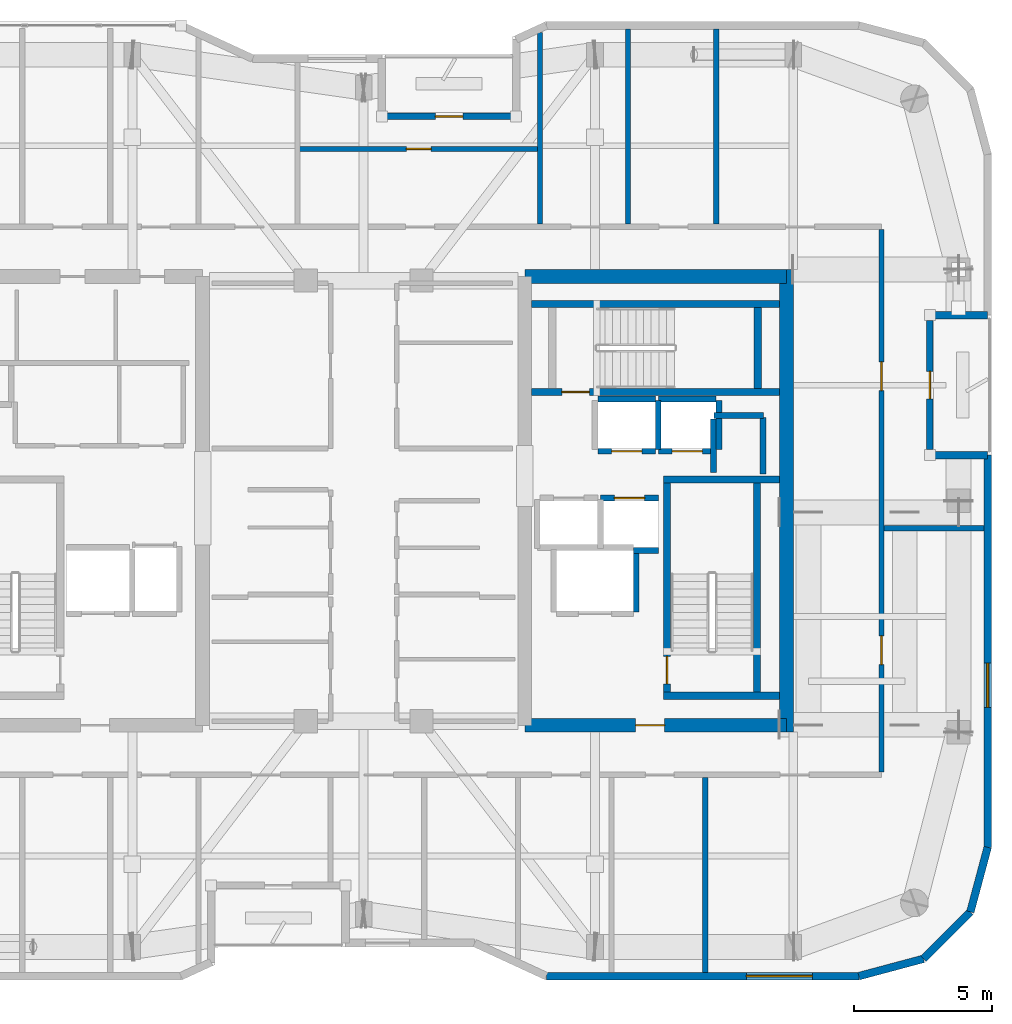
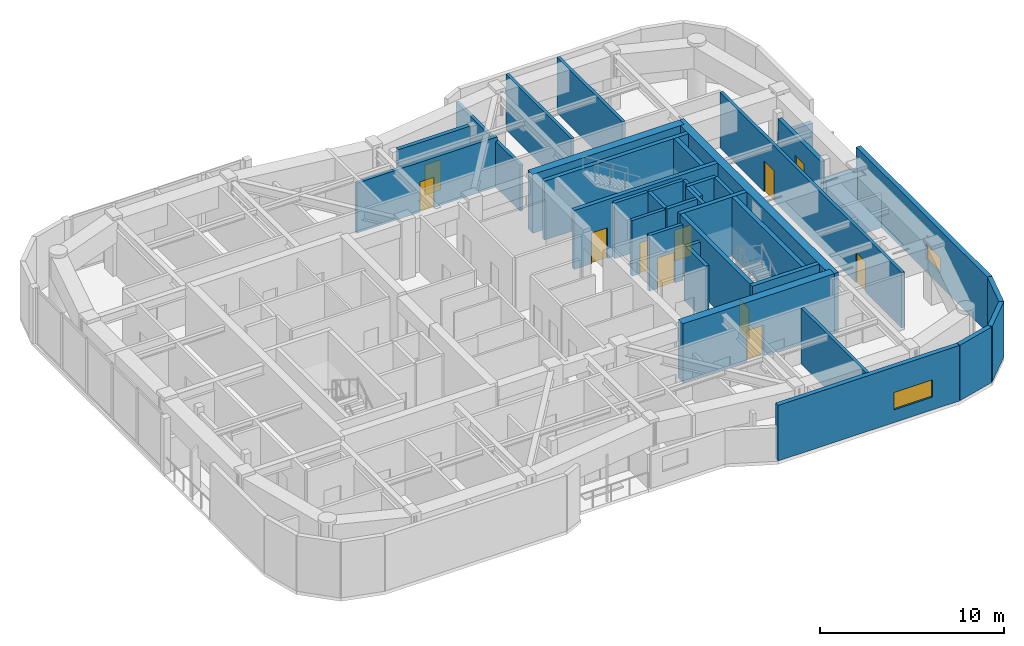
# One storey, part 13 of 16: 38 walls, 11 doors, 2 windows, 13 openings.
"""IFC4 building model written with IfcOpenShell, lengths in metres."""

from ifc_helpers import new_model, si_unit, direction, frame, frame_2d, origin, place, context, subcontext, project, spatial, rectangle, extrude, material, layer, layer_set, type_object, element, fill, save


model = new_model("IFC4")

# Units and contexts
model_context = context("Model", 3, precision=1e-05, world=origin(), true_north=direction((0.0, 1.0)))
body_context = subcontext(model_context, "Body", "Model", "MODEL_VIEW")
ifc_project = project(units=[si_unit("LENGTHUNIT", "METRE"), si_unit("AREAUNIT", "SQUARE_METRE"), si_unit("VOLUMEUNIT", "CUBIC_METRE"), si_unit("PLANEANGLEUNIT", "RADIAN"), si_unit("MASSUNIT", "GRAM", prefix="KILO")], contexts=[model_context])

# Site, building, storey
site_placement = place(None, origin())
site = spatial("IfcSite", under=ifc_project, at=site_placement, CompositionType="ELEMENT")
building_placement = place(site_placement, origin())
building = spatial("IfcBuilding", under=site, at=building_placement, Name="Kiyonajd Concourse Tower", CompositionType="ELEMENT")
storey_placement = place(building_placement, frame((0.0, 0.0, 346.5)))
storey = spatial("IfcBuildingStorey", under=building, at=storey_placement, Name="L87", CompositionType="ELEMENT", Elevation=346.5)

# Wall
ifc_material_1 = material(Name="Concrete C60/75", Category="concrete")
ifc_layer_1 = layer(ifc_material_1, 0.5)
ifc_layer_set_1 = layer_set([ifc_layer_1], Name="Concrete C60/75")
wall_type_1 = type_object("IfcWallType", Name="WL-CORE-500", PredefinedType="SHEAR", material=ifc_layer_set_1)
wall_1_placement = place(storey_placement, frame((63.35009765625, 27.60009765625, 0.0), z_axis=(0.0, 0.0, 1.0), x_axis=(0.0, 1.0, 0.0)))
element("IfcWall", 1, at=wall_1_placement, inside=storey, type_object=wall_type_1, Name="L87 East Core Outer Shear Wall", PredefinedType="SHEAR", context=body_context, shape_type="SweptSolid", body=[
    extrude(rectangle(XDim=16.7998046875, YDim=0.5, at=frame_2d((8.39990234375, 0.0))), origin(), (0.0, 0.0, 1.0), 3.89990234375),
])

# Wall, opening, door
wall_2_placement = place(storey_placement, frame((53.85009765625, 27.85009765625, 0.0), z_axis=(0.0, 0.0, 1.0), x_axis=(1.0, 0.0, 0.0)))
wall_2 = element("IfcWall", 2, at=wall_2_placement, inside=storey, type_object=wall_type_1, Name="L87 East Core South Shear Wall", PredefinedType="SHEAR", context=body_context, shape_type="SweptSolid", body=[
    extrude(rectangle(XDim=9.5, YDim=0.5, at=frame_2d((4.75, 0.0))), origin(), (0.0, 0.0, 1.0), 3.89990234375),
])
opening_1_placement = place(wall_2_placement, frame((4.02490234375, 0.0, 0.0)))
opening_1 = element("IfcOpeningElement", 3, at=opening_1_placement, cuts=wall_2, Name="Opening DF5", PredefinedType="OPENING", context=body_context, shape_type="SweptSolid", body=[
    extrude(rectangle(XDim=1.050048828125, YDim=2.0400390625, at=frame_2d((0.52490234375, 1.02001953125))), frame((0.0, 0.260009765625, 0.0), z_axis=(0.0, -1.0, 0.0), x_axis=(1.0, 0.0, 0.0)), (0.0, 0.0, 1.0), 0.52001953125),
])
ifc_material_2 = material(Name="Brushed Stainless Steel Cab Assembly", Category="steel")
door_type_1 = type_object("IfcDoorType", Name="DR-FD45-1050", OperationType="NOTDEFINED", PredefinedType="DOOR", material=ifc_material_2)
door_1_placement = place(opening_1_placement, origin())
door_1 = element("IfcDoor", 4, at=door_1_placement, inside=storey, type_object=door_type_1, Name="L87 Firefighting Lift Lobby E Smoke Door", OperationType="SINGLE_SWING_RIGHT", OverallHeight=2.0400390625, OverallWidth=1.050048828125, PredefinedType="DOOR", context=body_context, shape_type="SweptSolid", body=[
    extrude(rectangle(XDim=1.050048828125, YDim=2.0400390625, at=frame_2d((0.52490234375, 1.02001953125))), frame((0.0, 0.02490234375, 0.0), z_axis=(0.0, -1.0, 0.0), x_axis=(1.0, 0.0, 0.0)), (0.0, 0.0, 1.0), 0.050048828125),
])
fill(opening_1, door_1)

# Walls
wall_3_placement = place(storey_placement, frame((53.85009765625, 44.14990234375, 0.0), z_axis=(0.0, 0.0, 1.0), x_axis=(1.0, 0.0, 0.0)))
element("IfcWall", 5, at=wall_3_placement, inside=storey, type_object=wall_type_1, Name="L87 East Core North Shear Wall", PredefinedType="SHEAR", context=body_context, shape_type="SweptSolid", body=[
    extrude(rectangle(XDim=9.5, YDim=0.5, at=frame_2d((4.75, 0.0))), origin(), (0.0, 0.0, 1.0), 3.89990234375),
])
ifc_material_3 = material(Name="Precast concrete C50/60", Category="concrete")
ifc_layer_2 = layer(ifc_material_3, 0.280029296875)
ifc_layer_set_2 = layer_set([ifc_layer_2], Name="Precast concrete C50/60")
wall_type_2 = type_object("IfcWallType", Name="WL-EXT-280", PredefinedType="SOLIDWALL", material=ifc_layer_set_2)
for number, where, z_axis, x_axis, name in (
    (6, (70.659912109375, 42.739990234375, 0.0), (0.0, 0.0, 1.0), (-1.0, 0.0, 0.0), "L87 Exterior Concrete Frame Wall 21"),
    (7, (68.56005859375, 37.659912109375, 0.0), (0.0, 0.0, 1.0), (1.0, 0.0, 0.0), "L87 Exterior Concrete Frame Wall 23"),
):
    element("IfcWall", number, at=place(storey_placement, frame(where, z_axis=z_axis, x_axis=x_axis)), inside=storey, type_object=wall_type_2, Name=name, PredefinedType="SOLIDWALL", context=body_context, shape_type="SweptSolid", body=[
        extrude(rectangle(XDim=2.099853515625, YDim=0.280029296875, at=frame_2d((1.0498046875, 0.0))), origin(), (0.0, 0.0, 1.0), 2.215087890625),
    ])

# Wall, opening, window
wall_4_placement = place(storey_placement, frame((70.659912109375, 37.659912109375, 0.0), z_axis=(0.0, 0.0, 1.0), x_axis=(0.0, -1.0, 0.0)))
wall_4 = element("IfcWall", 8, at=wall_4_placement, inside=storey, type_object=wall_type_2, Name="L87 Exterior Concrete Frame Wall 24", PredefinedType="SOLIDWALL", context=body_context, shape_type="SweptSolid", body=[
    extrude(rectangle(XDim=14.241455078125, YDim=0.280029296875, at=frame_2d((7.12060546875, 0.0))), origin(), (0.0, 0.0, 1.0), 3.679931640625),
])
opening_2_placement = place(wall_4_placement, frame((7.555908203125, 0.0, 0.85009765625)))
opening_2 = element("IfcOpeningElement", 9, at=opening_2_placement, cuts=wall_4, Name="Opening WN6", PredefinedType="OPENING", context=body_context, shape_type="SweptSolid", body=[
    extrude(rectangle(XDim=1.60009765625, YDim=1.0, at=frame_2d((0.800048828125, 0.5))), frame((0.0, 0.14990234375, 0.0), z_axis=(0.0, -1.0, 0.0), x_axis=(1.0, 0.0, 0.0)), (0.0, 0.0, 1.0), 0.300048828125),
])
ifc_material_4 = material(Name="Double Low-E Insulated Glass", Category="glass")
window_type_1 = type_object("IfcWindowType", Name="WN-VIS-1600x1000", PartitioningType="SINGLE_PANEL", PredefinedType="WINDOW", material=ifc_material_4)
window_1_placement = place(opening_2_placement, origin())
window_1 = element("IfcWindow", 10, at=window_1_placement, inside=storey, type_object=window_type_1, Name="L87 Modular Facade Vision Window 24", OverallHeight=1.0, OverallWidth=1.60009765625, PartitioningType="SINGLE_PANEL", PredefinedType="WINDOW", context=body_context, shape_type="SweptSolid", body=[
    extrude(rectangle(XDim=1.60009765625, YDim=1.0, at=frame_2d((0.800048828125, 0.5))), frame((0.0, 0.030029296875, 0.0), z_axis=(0.0, -1.0, 0.0), x_axis=(1.0, 0.0, 0.0)), (0.0, 0.0, 1.0), 0.06005859375),
])
fill(opening_2, window_1)

# Walls
wall_5_placement = place(storey_placement, frame((70.659912109375, 23.41845703125, 0.0), z_axis=(0.0, 0.0, 1.0), x_axis=(-0.258751159445, -0.965944013639, 0.0)))
element("IfcWall", 11, at=wall_5_placement, inside=storey, type_object=wall_type_2, Name="L87 Exterior Concrete Frame Wall 25", PredefinedType="SOLIDWALL", context=body_context, shape_type="SweptSolid", body=[
    extrude(rectangle(XDim=2.4287109375, YDim=0.280029296875, at=frame_2d((1.21435546875, 0.0))), origin(), (0.0, 0.0, 1.0), 3.679931640625),
])
wall_6_placement = place(storey_placement, frame((70.031494140625, 21.072509765625, 0.0), z_axis=(0.0, 0.0, 1.0), x_axis=(-0.707106781187, -0.707106781187, 0.0)))
element("IfcWall", 12, at=wall_6_placement, inside=storey, type_object=wall_type_2, Name="L87 Exterior Concrete Frame Wall 26", PredefinedType="SOLIDWALL", context=body_context, shape_type="SweptSolid", body=[
    extrude(rectangle(XDim=2.409912109375, YDim=0.280029296875, at=frame_2d((1.205078125, 0.0))), origin(), (0.0, 0.0, 1.0), 3.679931640625),
])
wall_7_placement = place(storey_placement, frame((68.327392578125, 19.368408203125, 0.0), z_axis=(0.0, 0.0, 1.0), x_axis=(-0.965937282298, -0.25877628691, 0.0)))
element("IfcWall", 13, at=wall_7_placement, inside=storey, type_object=wall_type_2, Name="L87 Exterior Concrete Frame Wall 27", PredefinedType="SOLIDWALL", context=body_context, shape_type="SweptSolid", body=[
    extrude(rectangle(XDim=2.428466796875, YDim=0.280029296875, at=frame_2d((1.21435546875, 0.0))), origin(), (0.0, 0.0, 1.0), 3.679931640625),
])

# Wall, opening, window
wall_8_placement = place(storey_placement, frame((65.981689453125, 18.739990234375, 0.0), z_axis=(0.0, 0.0, 1.0), x_axis=(-1.0, 0.0, 0.0)))
wall_8 = element("IfcWall", 14, at=wall_8_placement, inside=storey, type_object=wall_type_2, Name="L87 Exterior Concrete Frame Wall 28", PredefinedType="SOLIDWALL", context=body_context, shape_type="SweptSolid", body=[
    extrude(rectangle(XDim=11.35107421875, YDim=0.280029296875, at=frame_2d((5.675537109375, 0.0))), origin(), (0.0, 0.0, 1.0), 3.679931640625),
])
opening_3_placement = place(wall_8_placement, frame((1.68603515625, 0.0, 0.85009765625)))
opening_3 = element("IfcOpeningElement", 15, at=opening_3_placement, cuts=wall_8, Name="Opening WN4", PredefinedType="OPENING", context=body_context, shape_type="SweptSolid", body=[
    extrude(rectangle(XDim=2.39990234375, YDim=1.14990234375, at=frame_2d((1.199951171875, 0.574951171875))), frame((0.0, 0.14990234375, 0.0), z_axis=(0.0, -1.0, 0.0), x_axis=(1.0, 0.0, 0.0)), (0.0, 0.0, 1.0), 0.300048828125),
])
window_type_2 = type_object("IfcWindowType", Name="WN-VIS-2400x1150", PartitioningType="SINGLE_PANEL", PredefinedType="WINDOW", material=ifc_material_4)
window_2_placement = place(opening_3_placement, origin())
window_2 = element("IfcWindow", 16, at=window_2_placement, inside=storey, type_object=window_type_2, Name="L87 Modular Facade Vision Window 28", OverallHeight=1.14990234375, OverallWidth=2.39990234375, PartitioningType="SINGLE_PANEL", PredefinedType="WINDOW", context=body_context, shape_type="SweptSolid", body=[
    extrude(rectangle(XDim=2.39990234375, YDim=1.14990234375, at=frame_2d((1.199951171875, 0.574951171875))), frame((0.0, 0.030029296875, 0.0), z_axis=(0.0, -1.0, 0.0), x_axis=(1.0, 0.0, 0.0)), (0.0, 0.0, 1.0), 0.06005859375),
])
fill(opening_3, window_2)

# Wall, opening, door
ifc_layer_3 = layer(ifc_material_3, 0.239990234375)
ifc_layer_set_3 = layer_set([ifc_layer_3], Name="Precast concrete C50/60")
wall_type_3 = type_object("IfcWallType", Name="WL-LOG-240", PredefinedType="SOLIDWALL", material=ifc_layer_set_3)
wall_9_placement = place(storey_placement, frame((48.85498046875, 49.9599609375, 0.0), z_axis=(0.0, 0.0, 1.0), x_axis=(1.0, 0.0, 0.0)))
wall_9 = element("IfcWall", 17, at=wall_9_placement, inside=storey, type_object=wall_type_3, Name="L87 Recessed Loggia Thermal Wall LOG-N", PredefinedType="SOLIDWALL", context=body_context, shape_type="SweptSolid", body=[
    extrude(rectangle(XDim=4.489990234375, YDim=0.239990234375, at=frame_2d((2.2451171875, 0.0))), origin(), (0.0, 0.0, 1.0), 3.679931640625),
])
opening_4_placement = place(wall_9_placement, frame((1.7451171875, 0.0, 0.0)))
opening_4 = element("IfcOpeningElement", 18, at=opening_4_placement, cuts=wall_9, Name="Opening DL1", PredefinedType="OPENING", context=body_context, shape_type="SweptSolid", body=[
    extrude(rectangle(XDim=1.0, YDim=2.02001953125, at=frame_2d((0.5, 1.010009765625))), frame((0.0, 0.1298828125, 0.0), z_axis=(0.0, -1.0, 0.0), x_axis=(1.0, 0.0, 0.0)), (0.0, 0.0, 1.0), 0.260009765625),
])
ifc_material_5 = material(Name="Thermally Broken Anodised Aluminium", Category="aluminium")
door_type_2 = type_object("IfcDoorType", Name="DR-LOG-1000", OperationType="NOTDEFINED", PredefinedType="DOOR", material=ifc_material_5)
door_2_placement = place(opening_4_placement, origin())
door_2 = element("IfcDoor", 19, at=door_2_placement, inside=storey, type_object=door_type_2, Name="L87 Engawa Loggia Access Door LOG-N", OperationType="SINGLE_SWING_RIGHT", OverallHeight=2.02001953125, OverallWidth=1.0, PredefinedType="DOOR", context=body_context, shape_type="SweptSolid", body=[
    extrude(rectangle(XDim=1.0, YDim=2.02001953125, at=frame_2d((0.5, 1.010009765625))), frame((0.0, 0.02490234375, 0.0), z_axis=(0.0, -1.0, 0.0), x_axis=(1.0, 0.0, 0.0)), (0.0, 0.0, 1.0), 0.050048828125),
])
fill(opening_4, door_2)

wall_10_placement = place(storey_placement, frame((68.56005859375, 42.544921875, 0.0), z_axis=(0.0, 0.0, 1.0), x_axis=(0.0, -1.0, 0.0)))
wall_10 = element("IfcWall", 20, at=wall_10_placement, inside=storey, type_object=wall_type_3, Name="L87 Recessed Loggia Thermal Wall LOG-E", PredefinedType="SOLIDWALL", context=body_context, shape_type="SweptSolid", body=[
    extrude(rectangle(XDim=4.68994140625, YDim=0.239990234375, at=frame_2d((2.344970703125, 0.0))), origin(), (0.0, 0.0, 1.0), 3.31103515625),
])
opening_5_placement = place(wall_10_placement, frame((1.844970703125, 0.0, 0.0)))
opening_5 = element("IfcOpeningElement", 21, at=opening_5_placement, cuts=wall_10, Name="Opening DL1", PredefinedType="OPENING", context=body_context, shape_type="SweptSolid", body=[
    extrude(rectangle(XDim=1.0, YDim=2.02001953125, at=frame_2d((0.5, 1.010009765625))), frame((0.0, 0.1298828125, 0.0), z_axis=(0.0, -1.0, 0.0), x_axis=(1.0, 0.0, 0.0)), (0.0, 0.0, 1.0), 0.260009765625),
])
door_3_placement = place(opening_5_placement, origin())
door_3 = element("IfcDoor", 22, at=door_3_placement, inside=storey, type_object=door_type_2, Name="L87 Engawa Loggia Access Door LOG-E", OperationType="SINGLE_SWING_LEFT", OverallHeight=2.02001953125, OverallWidth=1.0, PredefinedType="DOOR", context=body_context, shape_type="SweptSolid", body=[
    extrude(rectangle(XDim=1.0, YDim=2.02001953125, at=frame_2d((0.5, 1.010009765625))), frame((0.0, 0.02490234375, 0.0), z_axis=(0.0, -1.0, 0.0), x_axis=(1.0, 0.0, 0.0)), (0.0, 0.0, 1.0), 0.050048828125),
])
fill(opening_5, door_3)

# Wall, openings, doors
ifc_material_6 = material(Name="Gypsum Board on Cold-Formed Steel Stud", Category="steel")
ifc_layer_4 = layer(ifc_material_6, 0.18994140625)
ifc_layer_set_4 = layer_set([ifc_layer_4], Name="Gypsum Board on Cold-Formed Steel Stud")
wall_type_4 = type_object("IfcWallType", Name="WL-PLMB-190", PredefinedType="PLUMBINGWALL", material=ifc_layer_set_4)
wall_11_placement = place(storey_placement, frame((66.800048828125, 26.14697265625, 0.0), z_axis=(0.0, 0.0, 1.0), x_axis=(0.0, 1.0, 0.0)))
wall_11 = element("IfcWall", 23, at=wall_11_placement, inside=storey, type_object=wall_type_4, Name="L87 Interior Partition Wall", PredefinedType="PLUMBINGWALL", context=body_context, shape_type="SweptSolid", body=[
    extrude(rectangle(XDim=19.7060546875, YDim=0.18994140625, at=frame_2d((9.85302734375, 0.0))), origin(), (0.0, 0.0, 1.0), 3.679931640625),
])
opening_6_placement = place(wall_11_placement, frame((3.903076171875, 0.0, 0.0)))
opening_6 = element("IfcOpeningElement", 24, at=opening_6_placement, cuts=wall_11, Name="Opening DF5", PredefinedType="OPENING", context=body_context, shape_type="SweptSolid", body=[
    extrude(rectangle(XDim=1.050048828125, YDim=2.0400390625, at=frame_2d((0.52490234375, 1.02001953125))), frame((0.0, 0.10498046875, 0.0), z_axis=(0.0, -1.0, 0.0), x_axis=(1.0, 0.0, 0.0)), (0.0, 0.0, 1.0), 0.2099609375),
])
opening_7_placement = place(wall_11_placement, frame((13.85302734375, 0.0, 0.0)))
opening_7 = element("IfcOpeningElement", 25, at=opening_7_placement, cuts=wall_11, Name="Opening DF5", PredefinedType="OPENING", context=body_context, shape_type="SweptSolid", body=[
    extrude(rectangle(XDim=1.050048828125, YDim=2.0400390625, at=frame_2d((0.52490234375, 1.02001953125))), frame((0.0, 0.10498046875, 0.0), z_axis=(0.0, -1.0, 0.0), x_axis=(1.0, 0.0, 0.0)), (0.0, 0.0, 1.0), 0.2099609375),
])
door_4_placement = place(opening_6_placement, origin())
door_4 = element("IfcDoor", 26, at=door_4_placement, inside=storey, type_object=door_type_1, Name="L87 Interior Door", OperationType="SINGLE_SWING_RIGHT", OverallHeight=2.0400390625, OverallWidth=1.050048828125, PredefinedType="DOOR", context=body_context, shape_type="SweptSolid", body=[
    extrude(rectangle(XDim=1.050048828125, YDim=2.0400390625, at=frame_2d((0.52490234375, 1.02001953125))), frame((0.0, 0.02490234375, 0.0), z_axis=(0.0, -1.0, 0.0), x_axis=(1.0, 0.0, 0.0)), (0.0, 0.0, 1.0), 0.050048828125),
])
fill(opening_6, door_4)
door_5_placement = place(opening_7_placement, origin())
door_5 = element("IfcDoor", 27, at=door_5_placement, inside=storey, type_object=door_type_1, Name="L87 Interior Door", OperationType="SINGLE_SWING_LEFT", OverallHeight=2.0400390625, OverallWidth=1.050048828125, PredefinedType="DOOR", context=body_context, shape_type="SweptSolid", body=[
    extrude(rectangle(XDim=1.050048828125, YDim=2.0400390625, at=frame_2d((0.52490234375, 1.02001953125))), frame((0.0, 0.02490234375, 0.0), z_axis=(0.0, -1.0, 0.0), x_axis=(1.0, 0.0, 0.0)), (0.0, 0.0, 1.0), 0.050048828125),
])
fill(opening_7, door_5)

# Wall
wall_12_placement = place(storey_placement, frame((60.39990234375, 18.875, 0.0), z_axis=(0.0, 0.0, 1.0), x_axis=(0.0, 1.0, 0.0)))
element("IfcWall", 28, at=wall_12_placement, inside=storey, type_object=wall_type_4, Name="L87 Interior Partition Wall", PredefinedType="PLUMBINGWALL", context=body_context, shape_type="SweptSolid", body=[
    extrude(rectangle(XDim=7.077880859375, YDim=0.18994140625, at=frame_2d((3.5390625, 0.0))), origin(), (0.0, 0.0, 1.0), 3.679931640625),
])

# Wall, opening, door
wall_13_placement = place(storey_placement, frame((45.60009765625, 48.780029296875, 0.0), z_axis=(0.0, 0.0, 1.0), x_axis=(1.0, 0.0, 0.0)))
wall_13 = element("IfcWall", 29, at=wall_13_placement, inside=storey, type_object=wall_type_4, Name="L87 Interior Partition Wall", PredefinedType="PLUMBINGWALL", context=body_context, shape_type="SweptSolid", body=[
    extrude(rectangle(XDim=8.7998046875, YDim=0.18994140625, at=frame_2d((4.39990234375, 0.0))), origin(), (0.0, 0.0, 1.0), 3.31103515625),
])
opening_8_placement = place(wall_13_placement, frame((3.949951171875, 0.0, 0.0)))
opening_8 = element("IfcOpeningElement", 30, at=opening_8_placement, cuts=wall_13, Name="Opening DI2", PredefinedType="OPENING", context=body_context, shape_type="SweptSolid", body=[
    extrude(rectangle(XDim=0.89990234375, YDim=2.02001953125, at=frame_2d((0.449951171875, 1.010009765625))), frame((0.0, 0.10498046875, 0.0), z_axis=(0.0, -1.0, 0.0), x_axis=(1.0, 0.0, 0.0)), (0.0, 0.0, 1.0), 0.2099609375),
])
ifc_material_7 = material(Name="Natural Oak Acoustic Timber Veneer", Category="wood")
door_type_3 = type_object("IfcDoorType", Name="DR-INT-900", OperationType="NOTDEFINED", PredefinedType="DOOR", material=ifc_material_7)
door_6_placement = place(opening_8_placement, origin())
door_6 = element("IfcDoor", 31, at=door_6_placement, inside=storey, type_object=door_type_3, Name="L87 Interior Door", OperationType="SINGLE_SWING_LEFT", OverallHeight=2.02001953125, OverallWidth=0.89990234375, PredefinedType="DOOR", context=body_context, shape_type="SweptSolid", body=[
    extrude(rectangle(XDim=0.89990234375, YDim=2.02001953125, at=frame_2d((0.449951171875, 1.010009765625))), frame((0.0, 0.02490234375, 0.0), z_axis=(0.0, -1.0, 0.0), x_axis=(1.0, 0.0, 0.0)), (0.0, 0.0, 1.0), 0.050048828125),
])
fill(opening_8, door_6)

# Walls
wall_14_placement = place(storey_placement, frame((54.39990234375, 46.047119140625, 0.0), z_axis=(0.0, 0.0, 1.0), x_axis=(0.0, 1.0, 0.0)))
element("IfcWall", 32, at=wall_14_placement, inside=storey, type_object=wall_type_4, Name="L87 Interior Partition Wall", PredefinedType="PLUMBINGWALL", context=body_context, shape_type="SweptSolid", body=[
    extrude(rectangle(XDim=6.954833984375, YDim=0.18994140625, at=frame_2d((3.4775390625, 0.0))), origin(), (0.0, 0.0, 1.0), 3.04296875),
])
for number, where, z_axis, x_axis, name in (
    (33, (57.60009765625, 46.047119140625, 0.0), (0.0, 0.0, 1.0), (0.0, 1.0, 0.0), "L87 Interior Partition Wall"),
    (34, (60.800048828125, 46.047119140625, 0.0), (0.0, 0.0, 1.0), (0.0, 1.0, 0.0), "L87 Interior Partition Wall"),
):
    element("IfcWall", number, at=place(storey_placement, frame(where, z_axis=z_axis, x_axis=x_axis)), inside=storey, type_object=wall_type_4, Name=name, PredefinedType="PLUMBINGWALL", context=body_context, shape_type="SweptSolid", body=[
        extrude(rectangle(XDim=7.077880859375, YDim=0.18994140625, at=frame_2d((3.5390625, 0.0))), origin(), (0.0, 0.0, 1.0), 3.679931640625),
    ])
wall_15_placement = place(storey_placement, frame((66.89697265625, 35.0, 0.0), z_axis=(0.0, 0.0, 1.0), x_axis=(1.0, 0.0, 0.0)))
element("IfcWall", 35, at=wall_15_placement, inside=storey, type_object=wall_type_4, Name="L87 Interior Partition Wall", PredefinedType="PLUMBINGWALL", context=body_context, shape_type="SweptSolid", body=[
    extrude(rectangle(XDim=3.6279296875, YDim=0.18994140625, at=frame_2d((1.81396484375, 0.0))), origin(), (0.0, 0.0, 1.0), 2.215087890625),
])
ifc_layer_5 = layer(ifc_material_6, 0.2099609375)
ifc_layer_set_5 = layer_set([ifc_layer_5], Name="Gypsum Board on Cold-Formed Steel Stud")
wall_type_5 = type_object("IfcWallType", Name="WL-SHAFT-210", PredefinedType="PARTITIONING", material=ifc_layer_set_5)
wall_16_placement = place(storey_placement, frame((60.719970703125, 39.10009765625, 0.0), z_axis=(0.0, 0.0, 1.0), x_axis=(1.0, 0.0, 0.0)))
element("IfcWall", 36, at=wall_16_placement, inside=storey, type_object=wall_type_5, Name="L87 Shaft Enclosure Wall", PredefinedType="PARTITIONING", context=body_context, shape_type="SweptSolid", body=[
    extrude(rectangle(XDim=1.800048828125, YDim=0.2099609375, at=frame_2d((0.89990234375, 0.0))), origin(), (0.0, 0.0, 1.0), 3.679931640625),
])
wall_17_placement = place(storey_placement, frame((60.699951171875, 37.02001953125, 0.0), z_axis=(0.0, 0.0, 1.0), x_axis=(0.0, 1.0, 0.0)))
element("IfcWall", 37, at=wall_17_placement, inside=storey, type_object=wall_type_5, Name="L87 Shaft Enclosure Wall", PredefinedType="PARTITIONING", context=body_context, shape_type="SweptSolid", body=[
    extrude(rectangle(XDim=1.9599609375, YDim=0.2099609375, at=frame_2d((0.97998046875, 0.0))), origin(), (0.0, 0.0, 1.0), 3.679931640625),
])
wall_18_placement = place(storey_placement, frame((62.5, 36.97998046875, 0.0), z_axis=(0.0, 0.0, 1.0), x_axis=(0.0, 1.0, 0.0)))
element("IfcWall", 38, at=wall_18_placement, inside=storey, type_object=wall_type_5, Name="L87 Shaft Enclosure Wall", PredefinedType="PARTITIONING", context=body_context, shape_type="SweptSolid", body=[
    extrude(rectangle(XDim=2.0400390625, YDim=0.2099609375, at=frame_2d((1.02001953125, 0.0))), origin(), (0.0, 0.0, 1.0), 3.679931640625),
])
wall_19_placement = place(storey_placement, frame((57.89990234375, 31.9599609375, 0.0), z_axis=(0.0, 0.0, 1.0), x_axis=(0.0, 1.0, 0.0)))
element("IfcWall", 39, at=wall_19_placement, inside=storey, type_object=wall_type_5, Name="L87 Shaft Enclosure Wall", PredefinedType="PARTITIONING", context=body_context, shape_type="SweptSolid", body=[
    extrude(rectangle(XDim=2.280029296875, YDim=0.2099609375, at=frame_2d((1.14013671875, 0.0))), origin(), (0.0, 0.0, 1.0), 3.679931640625),
])

# Wall, opening, door
wall_20_placement = place(storey_placement, frame((56.60009765625, 36.10009765625, 0.0), z_axis=(0.0, 0.0, 1.0), x_axis=(1.0, 0.0, 0.0)))
wall_20 = element("IfcWall", 40, at=wall_20_placement, inside=storey, type_object=wall_type_5, Name="L87 Shaft Enclosure Wall", PredefinedType="PARTITIONING", context=body_context, shape_type="SweptSolid", body=[
    extrude(rectangle(XDim=2.099853515625, YDim=0.2099609375, at=frame_2d((1.0498046875, 0.0))), origin(), (0.0, 0.0, 1.0), 3.679931640625),
])
opening_9_placement = place(wall_20_placement, frame((0.5, 0.0, 0.0)))
opening_9 = element("IfcOpeningElement", 41, at=opening_9_placement, cuts=wall_20, Name="Opening LD1", PredefinedType="OPENING", context=body_context, shape_type="SweptSolid", body=[
    extrude(rectangle(XDim=1.10009765625, YDim=2.0400390625, at=frame_2d((0.550048828125, 1.02001953125))), frame((0.0, 0.114990234375, 0.0), z_axis=(0.0, -1.0, 0.0), x_axis=(1.0, 0.0, 0.0)), (0.0, 0.0, 1.0), 0.22998046875),
])
door_type_4 = type_object("IfcDoorType", Name="DR-LD-1100", OperationType="DOUBLE_DOOR_SLIDING", PredefinedType="DOOR", material=ifc_material_2)
door_7_placement = place(opening_9_placement, origin())
door_7 = element("IfcDoor", 42, at=door_7_placement, inside=storey, type_object=door_type_4, Name="L87 Lift PL-H2 Sliding Landing Door", OperationType="DOUBLE_DOOR_SLIDING", OverallHeight=2.0400390625, OverallWidth=1.10009765625, PredefinedType="DOOR", context=body_context, shape_type="SweptSolid", body=[
    extrude(rectangle(XDim=1.10009765625, YDim=2.0400390625, at=frame_2d((0.550048828125, 1.02001953125))), frame((0.0, 0.02490234375, 0.0), z_axis=(0.0, -1.0, 0.0), x_axis=(1.0, 0.0, 0.0)), (0.0, 0.0, 1.0), 0.050048828125),
])
fill(opening_9, door_7)

# Wall
wall_21_placement = place(storey_placement, frame((57.800048828125, 34.199951171875, 0.0), z_axis=(0.0, 0.0, 1.0), x_axis=(1.0, 0.0, 0.0)))
element("IfcWall", 43, at=wall_21_placement, inside=storey, type_object=wall_type_5, Name="L87 Shaft Enclosure Wall", PredefinedType="PARTITIONING", context=body_context, shape_type="SweptSolid", body=[
    extrude(rectangle(XDim=0.89990234375, YDim=0.2099609375, at=frame_2d((0.449951171875, 0.0))), origin(), (0.0, 0.0, 1.0), 3.679931640625),
])

# Wall, opening, door
wall_22_placement = place(storey_placement, frame((56.5, 37.800048828125, 0.0), z_axis=(0.0, 0.0, 1.0), x_axis=(1.0, 0.0, 0.0)))
wall_22 = element("IfcWall", 44, at=wall_22_placement, inside=storey, type_object=wall_type_5, Name="L87 Shaft Enclosure Wall", PredefinedType="PARTITIONING", context=body_context, shape_type="SweptSolid", body=[
    extrude(rectangle(XDim=2.10009765625, YDim=0.2099609375, at=frame_2d((1.050048828125, 0.0))), origin(), (0.0, 0.0, 1.0), 3.679931640625),
])
opening_10_placement = place(wall_22_placement, frame((0.5, 0.0, 0.0)))
opening_10 = element("IfcOpeningElement", 45, at=opening_10_placement, cuts=wall_22, Name="Opening LD1", PredefinedType="OPENING", context=body_context, shape_type="SweptSolid", body=[
    extrude(rectangle(XDim=1.10009765625, YDim=2.0400390625, at=frame_2d((0.550048828125, 1.02001953125))), frame((0.0, 0.114990234375, 0.0), z_axis=(0.0, -1.0, 0.0), x_axis=(1.0, 0.0, 0.0)), (0.0, 0.0, 1.0), 0.22998046875),
])
door_8_placement = place(opening_10_placement, origin())
door_8 = element("IfcDoor", 46, at=door_8_placement, inside=storey, type_object=door_type_4, Name="L87 Lift PL-H3 Sliding Landing Door", OperationType="DOUBLE_DOOR_SLIDING", OverallHeight=2.0400390625, OverallWidth=1.10009765625, PredefinedType="DOOR", context=body_context, shape_type="SweptSolid", body=[
    extrude(rectangle(XDim=1.10009765625, YDim=2.0400390625, at=frame_2d((0.550048828125, 1.02001953125))), frame((0.0, 0.02490234375, 0.0), z_axis=(0.0, -1.0, 0.0), x_axis=(1.0, 0.0, 0.0)), (0.0, 0.0, 1.0), 0.050048828125),
])
fill(opening_10, door_8)

# Walls
wall_23_placement = place(storey_placement, frame((56.5, 39.699951171875, 0.0), z_axis=(0.0, 0.0, 1.0), x_axis=(1.0, 0.0, 0.0)))
element("IfcWall", 47, at=wall_23_placement, inside=storey, type_object=wall_type_5, Name="L87 Shaft Enclosure Wall", PredefinedType="PARTITIONING", context=body_context, shape_type="SweptSolid", body=[
    extrude(rectangle(XDim=2.10009765625, YDim=0.2099609375, at=frame_2d((1.050048828125, 0.0))), origin(), (0.0, 0.0, 1.0), 3.679931640625),
])
wall_24_placement = place(storey_placement, frame((58.699951171875, 37.860107421875, 0.0), z_axis=(0.0, 0.0, 1.0), x_axis=(0.0, 1.0, 0.0)))
element("IfcWall", 48, at=wall_24_placement, inside=storey, type_object=wall_type_5, Name="L87 Shaft Enclosure Wall", PredefinedType="PARTITIONING", context=body_context, shape_type="SweptSolid", body=[
    extrude(rectangle(XDim=1.77978515625, YDim=0.2099609375, at=frame_2d((0.889892578125, 0.0))), origin(), (0.0, 0.0, 1.0), 3.679931640625),
])

# Wall, opening, door
wall_25_placement = place(storey_placement, frame((58.699951171875, 37.800048828125, 0.0), z_axis=(0.0, 0.0, 1.0), x_axis=(1.0, 0.0, 0.0)))
wall_25 = element("IfcWall", 49, at=wall_25_placement, inside=storey, type_object=wall_type_5, Name="L87 Shaft Enclosure Wall", PredefinedType="PARTITIONING", context=body_context, shape_type="SweptSolid", body=[
    extrude(rectangle(XDim=2.10009765625, YDim=0.2099609375, at=frame_2d((1.050048828125, 0.0))), origin(), (0.0, 0.0, 1.0), 3.679931640625),
])
opening_11_placement = place(wall_25_placement, frame((0.5, 0.0, 0.0)))
opening_11 = element("IfcOpeningElement", 50, at=opening_11_placement, cuts=wall_25, Name="Opening LD1", PredefinedType="OPENING", context=body_context, shape_type="SweptSolid", body=[
    extrude(rectangle(XDim=1.10009765625, YDim=2.0400390625, at=frame_2d((0.550048828125, 1.02001953125))), frame((0.0, 0.114990234375, 0.0), z_axis=(0.0, -1.0, 0.0), x_axis=(1.0, 0.0, 0.0)), (0.0, 0.0, 1.0), 0.22998046875),
])
door_9_placement = place(opening_11_placement, origin())
door_9 = element("IfcDoor", 51, at=door_9_placement, inside=storey, type_object=door_type_4, Name="L87 Lift PL-H4 Sliding Landing Door", OperationType="DOUBLE_DOOR_SLIDING", OverallHeight=2.0400390625, OverallWidth=1.10009765625, PredefinedType="DOOR", context=body_context, shape_type="SweptSolid", body=[
    extrude(rectangle(XDim=1.10009765625, YDim=2.0400390625, at=frame_2d((0.550048828125, 1.02001953125))), frame((0.0, 0.02490234375, 0.0), z_axis=(0.0, -1.0, 0.0), x_axis=(1.0, 0.0, 0.0)), (0.0, 0.0, 1.0), 0.050048828125),
])
fill(opening_11, door_9)

# Walls
wall_26_placement = place(storey_placement, frame((58.699951171875, 39.699951171875, 0.0), z_axis=(0.0, 0.0, 1.0), x_axis=(1.0, 0.0, 0.0)))
element("IfcWall", 52, at=wall_26_placement, inside=storey, type_object=wall_type_5, Name="L87 Shaft Enclosure Wall", PredefinedType="PARTITIONING", context=body_context, shape_type="SweptSolid", body=[
    extrude(rectangle(XDim=2.10009765625, YDim=0.2099609375, at=frame_2d((1.050048828125, 0.0))), origin(), (0.0, 0.0, 1.0), 3.679931640625),
])
wall_27_placement = place(storey_placement, frame((60.89990234375, 37.860107421875, 0.0), z_axis=(0.0, 0.0, 1.0), x_axis=(0.0, 1.0, 0.0)))
element("IfcWall", 53, at=wall_27_placement, inside=storey, type_object=wall_type_5, Name="L87 Shaft Enclosure Wall", PredefinedType="PARTITIONING", context=body_context, shape_type="SweptSolid", body=[
    extrude(rectangle(XDim=1.77978515625, YDim=0.2099609375, at=frame_2d((0.889892578125, 0.0))), origin(), (0.0, 0.0, 1.0), 3.679931640625),
])
ifc_material_8 = material(Name="Concrete C50/60", Category="concrete")
ifc_layer_6 = layer(ifc_material_8, 0.260009765625)
ifc_layer_set_6 = layer_set([ifc_layer_6], Name="Concrete C50/60")
wall_type_6 = type_object("IfcWallType", Name="WL-STAIR-260", PredefinedType="SHEAR", material=ifc_layer_set_6)
for number, where, z_axis, x_axis, name in (
    (54, (58.889892578125, 28.919921875, 0.0), (0.0, 0.0, 1.0), (1.0, 0.0, 0.0), "L87 Stair ST2 Structural South Wall"),
    (55, (58.889892578125, 36.780029296875, 0.0), (0.0, 0.0, 1.0), (1.0, 0.0, 0.0), "L87 Stair ST2 Structural North Wall"),
):
    element("IfcWall", number, at=place(storey_placement, frame(where, z_axis=z_axis, x_axis=x_axis)), inside=storey, type_object=wall_type_6, Name=name, PredefinedType="SHEAR", context=body_context, shape_type="SweptSolid", body=[
        extrude(rectangle(XDim=4.210205078125, YDim=0.260009765625, at=frame_2d((2.10498046875, 0.0))), origin(), (0.0, 0.0, 1.0), 3.89990234375),
    ])

# Wall, opening, door
wall_28_placement = place(storey_placement, frame((59.02001953125, 29.050048828125, 0.0), z_axis=(0.0, 0.0, 1.0), x_axis=(0.0, 1.0, 0.0)))
wall_28 = element("IfcWall", 56, at=wall_28_placement, inside=storey, type_object=wall_type_6, Name="L87 Stair ST2 Structural West Wall", PredefinedType="SHEAR", context=body_context, shape_type="SweptSolid", body=[
    extrude(rectangle(XDim=7.599853515625, YDim=0.260009765625, at=frame_2d((3.7998046875, 0.0))), origin(), (0.0, 0.0, 1.0), 3.89990234375),
])
opening_12_placement = place(wall_28_placement, frame((0.300048828125, 0.0, 0.0)))
opening_12 = element("IfcOpeningElement", 57, at=opening_12_placement, cuts=wall_28, Name="Opening DF1", PredefinedType="OPENING", context=body_context, shape_type="SweptSolid", body=[
    extrude(rectangle(XDim=1.0, YDim=2.0400390625, at=frame_2d((0.5, 1.02001953125))), frame((0.0, 0.139892578125, 0.0), z_axis=(0.0, -1.0, 0.0), x_axis=(1.0, 0.0, 0.0)), (0.0, 0.0, 1.0), 0.280029296875),
])
door_type_5 = type_object("IfcDoorType", Name="DR-FD90-1000", OperationType="NOTDEFINED", PredefinedType="DOOR", material=ifc_material_2)
door_10_placement = place(opening_12_placement, origin())
door_10 = element("IfcDoor", 58, at=door_10_placement, inside=storey, type_object=door_type_5, Name="L87 Stair ST2 FSAE Door", OperationType="SINGLE_SWING_RIGHT", OverallHeight=2.0400390625, OverallWidth=1.0, PredefinedType="DOOR", context=body_context, shape_type="SweptSolid", body=[
    extrude(rectangle(XDim=1.0, YDim=2.0400390625, at=frame_2d((0.5, 1.02001953125))), frame((0.0, 0.02490234375, 0.0), z_axis=(0.0, -1.0, 0.0), x_axis=(1.0, 0.0, 0.0)), (0.0, 0.0, 1.0), 0.050048828125),
])
fill(opening_12, door_10)

# Wall
wall_29_placement = place(storey_placement, frame((62.280029296875, 29.050048828125, 0.0), z_axis=(0.0, 0.0, 1.0), x_axis=(0.0, 1.0, 0.0)))
element("IfcWall", 59, at=wall_29_placement, inside=storey, type_object=wall_type_6, Name="L87 Stair ST2 Structural East Wall", PredefinedType="SHEAR", context=body_context, shape_type="SweptSolid", body=[
    extrude(rectangle(XDim=7.599853515625, YDim=0.260009765625, at=frame_2d((3.7998046875, 0.0))), origin(), (0.0, 0.0, 1.0), 3.89990234375),
])

# Wall, opening, door
wall_30_placement = place(storey_placement, frame((54.10009765625, 39.949951171875, 0.0), z_axis=(0.0, 0.0, 1.0), x_axis=(1.0, 0.0, 0.0)))
wall_30 = element("IfcWall", 60, at=wall_30_placement, inside=storey, type_object=wall_type_6, Name="L87 Stair ST3 Structural South Wall", PredefinedType="SHEAR", context=body_context, shape_type="SweptSolid", body=[
    extrude(rectangle(XDim=9.0, YDim=0.260009765625, at=frame_2d((4.5, 0.0))), origin(), (0.0, 0.0, 1.0), 3.89990234375),
])
opening_13_placement = place(wall_30_placement, frame((1.10009765625, 0.0, 0.0)))
opening_13 = element("IfcOpeningElement", 61, at=opening_13_placement, cuts=wall_30, Name="Opening DF1", PredefinedType="OPENING", context=body_context, shape_type="SweptSolid", body=[
    extrude(rectangle(XDim=1.0, YDim=2.0400390625, at=frame_2d((0.5, 1.02001953125))), frame((0.0, 0.139892578125, 0.0), z_axis=(0.0, -1.0, 0.0), x_axis=(1.0, 0.0, 0.0)), (0.0, 0.0, 1.0), 0.280029296875),
])
door_11_placement = place(opening_13_placement, origin())
door_11 = element("IfcDoor", 62, at=door_11_placement, inside=storey, type_object=door_type_5, Name="L87 Stair ST3 Enclosure Door", OperationType="SINGLE_SWING_LEFT", OverallHeight=2.0400390625, OverallWidth=1.0, PredefinedType="DOOR", context=body_context, shape_type="SweptSolid", body=[
    extrude(rectangle(XDim=1.0, YDim=2.0400390625, at=frame_2d((0.5, 1.02001953125))), frame((0.0, 0.02490234375, 0.0), z_axis=(0.0, -1.0, 0.0), x_axis=(1.0, 0.0, 0.0)), (0.0, 0.0, 1.0), 0.050048828125),
])
fill(opening_13, door_11)

# Walls
wall_31_placement = place(storey_placement, frame((54.10009765625, 43.14990234375, 0.0), z_axis=(0.0, 0.0, 1.0), x_axis=(1.0, 0.0, 0.0)))
element("IfcWall", 63, at=wall_31_placement, inside=storey, type_object=wall_type_6, Name="L87 Stair ST3 Structural North Wall", PredefinedType="SHEAR", context=body_context, shape_type="SweptSolid", body=[
    extrude(rectangle(XDim=9.0, YDim=0.260009765625, at=frame_2d((4.5, 0.0))), origin(), (0.0, 0.0, 1.0), 3.89990234375),
])
wall_32_placement = place(storey_placement, frame((62.31005859375, 40.080078125, 0.0), z_axis=(0.0, 0.0, 1.0), x_axis=(0.0, 1.0, 0.0)))
element("IfcWall", 64, at=wall_32_placement, inside=storey, type_object=wall_type_6, Name="L87 Stair ST3 Structural East Wall", PredefinedType="SHEAR", context=body_context, shape_type="SweptSolid", body=[
    extrude(rectangle(XDim=2.93994140625, YDim=0.260009765625, at=frame_2d((1.469970703125, 0.0))), origin(), (0.0, 0.0, 1.0), 3.89990234375),
])

save(model, "model.ifc")
